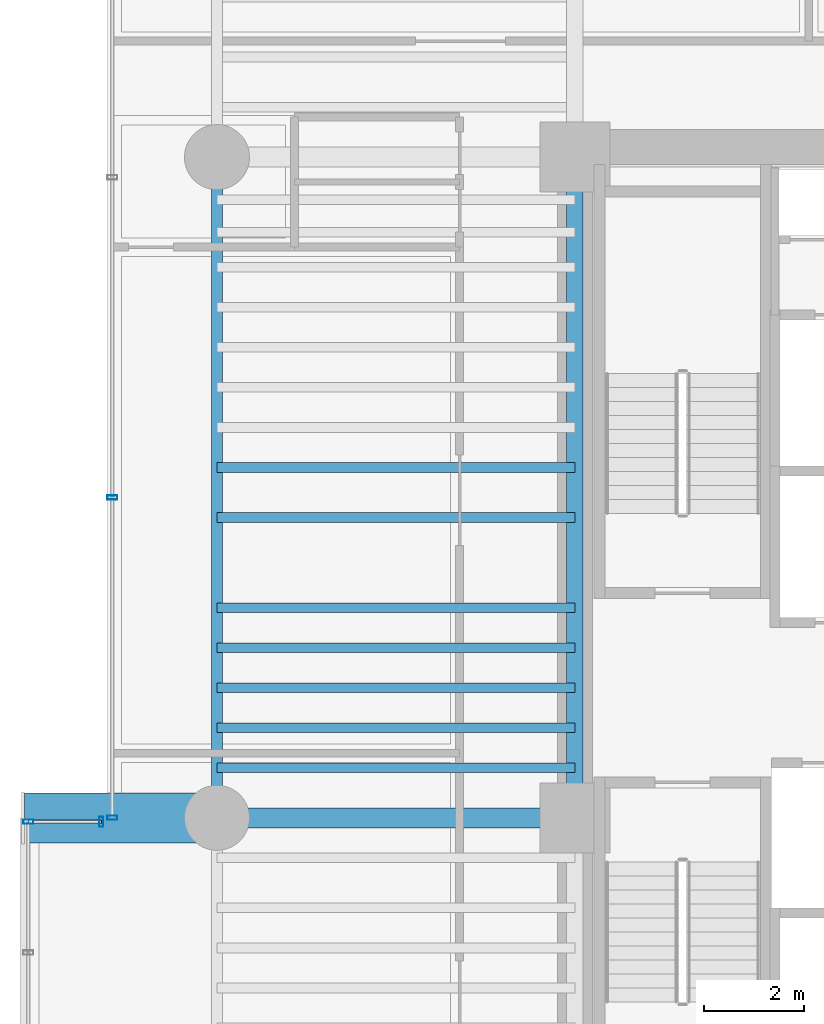
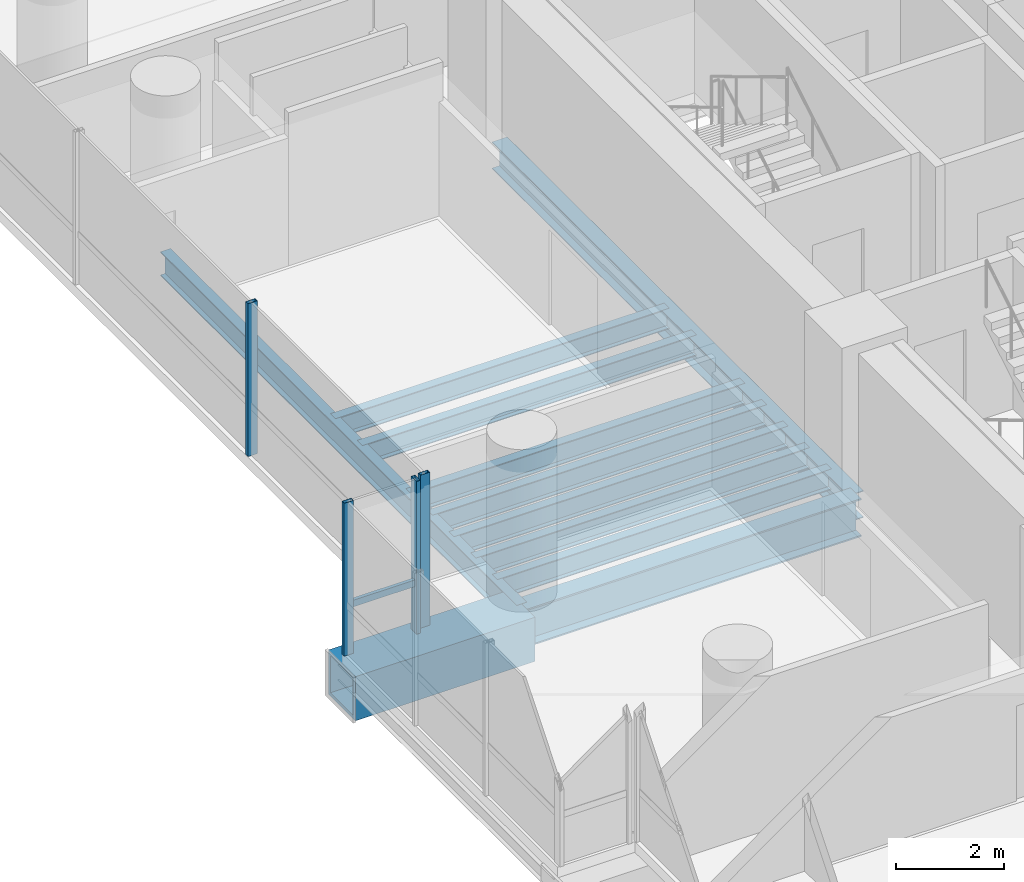
# One storey, part 8 of 40: 11 beams, 5 members, 3 elements without a shape of their own.
"""IFC4 building model written with IfcOpenShell, lengths in metres."""

from ifc_helpers import new_model, si_unit, direction, frame, origin, origin_2d, place, context, subcontext, project, spatial, hollow_rectangle, i_section, extrude, source, transform, mapped, material, material_profile, profile_set, type_object, element, aggregate, save


model = new_model("IFC4")

# Units and contexts
model_context = context("Model", 3, precision=1e-05, world=origin(), true_north=direction((0.0, 1.0)))
body_context = subcontext(model_context, "Body", "Model", "MODEL_VIEW")
ifc_project = project(units=[si_unit("LENGTHUNIT", "METRE"), si_unit("AREAUNIT", "SQUARE_METRE"), si_unit("VOLUMEUNIT", "CUBIC_METRE"), si_unit("PLANEANGLEUNIT", "RADIAN"), si_unit("MASSUNIT", "GRAM", prefix="KILO")], contexts=[model_context])

# Site, building, storey
site_placement = place(None, origin())
site = spatial("IfcSite", under=ifc_project, at=site_placement, CompositionType="ELEMENT")
building_placement = place(site_placement, origin())
building = spatial("IfcBuilding", under=site, at=building_placement, Name="Valdorenza Pilgrim Sanctuary Tower", CompositionType="ELEMENT")
storey_placement = place(building_placement, frame((0.0, 0.0, 66.699951171875)))
storey = spatial("IfcBuildingStorey", under=building, at=storey_placement, Name="L16", CompositionType="ELEMENT", Elevation=66.699951171875)

# Beams
ifc_material_1 = material(Name="Steel ASTM A992 Grade 50", Category="steel")
ifc_material_profile_1 = material_profile(ifc_material_1, i_section(OverallWidth=0.214111328125, OverallDepth=0.549072265625, WebThickness=0.0146484375, FlangeThickness=0.023681640625, at=origin_2d()), Name="W21X93")
ifc_profile_set_1 = profile_set([ifc_material_profile_1], Name="Steel ASTM A992 Grade 50")
beam_type_1 = type_object("IfcBeamType", Name="STR-BM-SPN-W21A", PredefinedType="SPANDREL", material=ifc_profile_set_1)
shared_shape_1 = source(origin(), body_context, "Body", "SweptSolid", [
    extrude(i_section(OverallWidth=0.214111328125, OverallDepth=0.549072265625, WebThickness=0.0146484375, FlangeThickness=0.023681640625, at=origin_2d()), origin(), (0.0, 0.0, 1.0), 13.2001953125),
])
beam_1_placement = place(storey_placement, frame((-29.800048828125, -2.60009765625, -0.514404296875), z_axis=(0.0, 1.0, 0.0), x_axis=(-1.0, 0.0, 0.0)))
element("IfcBeam", 1, at=beam_1_placement, inside=storey, type_object=beam_type_1, Name="L16 Spandrel Beam WA-W-M0N1", PredefinedType="SPANDREL", context=body_context, shape_type="MappedRepresentation", body=[
    mapped(shared_shape_1, transform((0.0, 0.0, 0.0), x_axis=(1.0, 0.0, 0.0), y_axis=(0.0, 1.0, 0.0), z_axis=(0.0, 0.0, 1.0), scale=1.0)),
])
ifc_material_profile_2 = material_profile(ifc_material_1, i_section(OverallWidth=0.323974609375, OverallDepth=0.611083984375, WebThickness=0.0126953125, FlangeThickness=0.01904296875, at=origin_2d()), Name="W24X104")
ifc_profile_set_2 = profile_set([ifc_material_profile_2], Name="Steel ASTM A992 Grade 50")
beam_type_2 = type_object("IfcBeamType", Name="STR-BM-GRD-W24B", PredefinedType="BEAM", material=ifc_profile_set_2)
shared_shape_2 = source(origin(), body_context, "Body", "SweptSolid", [
    extrude(i_section(OverallWidth=0.323974609375, OverallDepth=0.611083984375, WebThickness=0.0126953125, FlangeThickness=0.01904296875, at=origin_2d()), origin(), (0.0, 0.0, 1.0), 13.2001953125),
])
beam_2_placement = place(storey_placement, frame((-22.64990234375, -2.60009765625, -0.54541015625), z_axis=(0.0, 1.0, 0.0), x_axis=(-1.0, 0.0, 0.0)))
element("IfcBeam", 2, at=beam_2_placement, inside=storey, type_object=beam_type_2, Name="L16 Core Tie Girder CA-W-M0N1", PredefinedType="BEAM", context=body_context, shape_type="MappedRepresentation", body=[
    mapped(shared_shape_2, transform((0.0, 0.0, 0.0), x_axis=(1.0, 0.0, 0.0), y_axis=(0.0, 1.0, 0.0), z_axis=(0.0, 0.0, 1.0), scale=1.0)),
])
ifc_material_profile_3 = material_profile(ifc_material_1, i_section(OverallWidth=0.193115234375, OverallDepth=0.466064453125, WebThickness=0.011474609375, FlangeThickness=0.01904296875, at=origin_2d()), Name="W18X65")
ifc_profile_set_3 = profile_set([ifc_material_profile_3], Name="Steel ASTM A992 Grade 50")
beam_type_3 = type_object("IfcBeamType", Name="STR-BM-JST-W18A", PredefinedType="JOIST", material=ifc_profile_set_3)
shared_shape_3 = source(origin(), body_context, "Body", "SweptSolid", [
    extrude(i_section(OverallWidth=0.193115234375, OverallDepth=0.466064453125, WebThickness=0.011474609375, FlangeThickness=0.01904296875, at=origin_2d()), origin(), (0.0, 0.0, 1.0), 7.150146484375),
])
for number, where, z_axis, x_axis, name in (
    (3, (-29.800048828125, -1.60009765625, -0.472900390625), (1.0, 0.0, 0.0), (0.0, 1.0, 0.0), "L16 Composite Floor Joist JST-WA-10"),
    (4, (-29.800048828125, -0.800048828125, -0.472900390625), (1.0, 0.0, 0.0), (0.0, 1.0, 0.0), "L16 Composite Floor Joist JST-WA-11"),
    (5, (-29.800048828125, 0.0, -0.472900390625), (1.0, 0.0, 0.0), (0.0, 1.0, 0.0), "L16 Composite Floor Joist JST-WA-12"),
    (6, (-29.800048828125, 0.800048828125, -0.472900390625), (1.0, 0.0, 0.0), (0.0, 1.0, 0.0), "L16 Composite Floor Joist JST-WA-13"),
    (7, (-29.800048828125, 1.60009765625, -0.472900390625), (1.0, 0.0, 0.0), (0.0, 1.0, 0.0), "L16 Composite Floor Joist JST-WA-14"),
    (8, (-29.800048828125, 3.39990234375, -0.472900390625), (1.0, 0.0, 0.0), (0.0, 1.0, 0.0), "L16 Composite Floor Joist JST-WA-15"),
    (9, (-29.800048828125, 4.39990234375, -0.472900390625), (1.0, 0.0, 0.0), (0.0, 1.0, 0.0), "L16 Composite Floor Joist JST-WA-16"),
):
    element("IfcBeam", number, at=place(storey_placement, frame(where, z_axis=z_axis, x_axis=x_axis)), inside=storey, type_object=beam_type_3, Name=name, PredefinedType="JOIST", context=body_context, shape_type="MappedRepresentation", body=[
        mapped(shared_shape_3, transform((0.0, 0.0, 0.0), x_axis=(1.0, 0.0, 0.0), y_axis=(0.0, 1.0, 0.0), z_axis=(0.0, 0.0, 1.0), scale=1.0)),
    ])
ifc_material_2 = material(Name="Steel ASTM A572 Grade 42", Category="steel")
ifc_material_profile_4 = material_profile(ifc_material_2, hollow_rectangle(XDim=1.0, YDim=1.0, WallThickness=0.080078125, at=origin_2d()), Name="BOX 1000x1000x80")
ifc_profile_set_4 = profile_set([ifc_material_profile_4], Name="Steel ASTM A572 Grade 42")
beam_type_4 = type_object("IfcBeamType", Name="STR-BM-PROW-CANT", PredefinedType="BEAM", material=ifc_profile_set_4)
shared_shape_4 = source(origin(), body_context, "Body", "SweptSolid", [
    extrude(hollow_rectangle(XDim=1.0, YDim=1.0, WallThickness=0.080078125, at=origin_2d()), origin(), (0.0, 0.0, 1.0), 3.849853515625),
])
beam_3_placement = place(storey_placement, frame((-29.800048828125, -2.60009765625, -0.739990234375), z_axis=(-1.0, 0.0, 0.0), x_axis=(0.0, -1.0, 0.0)))
element("IfcBeam", 10, at=beam_3_placement, inside=storey, type_object=beam_type_4, Name="L16 Glass Box Cantilever Beam BOX-WA-L16-CT-N", PredefinedType="BEAM", context=body_context, shape_type="MappedRepresentation", body=[
    mapped(shared_shape_4, transform((0.0, 0.0, 0.0), x_axis=(1.0, 0.0, 0.0), y_axis=(0.0, 1.0, 0.0), z_axis=(0.0, 0.0, 1.0), scale=1.0)),
])
ifc_material_profile_5 = material_profile(ifc_material_1, i_section(OverallWidth=0.39990234375, OverallDepth=0.862060546875, WebThickness=0.019775390625, FlangeThickness=0.032470703125, at=origin_2d()), Name="W33X221")
ifc_profile_set_5 = profile_set([ifc_material_profile_5], Name="Steel ASTM A992 Grade 50")
beam_type_5 = type_object("IfcBeamType", Name="STR-BM-GRD-W33", PredefinedType="BEAM", material=ifc_profile_set_5)
shared_shape_5 = source(origin(), body_context, "Body", "SweptSolid", [
    extrude(i_section(OverallWidth=0.39990234375, OverallDepth=0.862060546875, WebThickness=0.019775390625, FlangeThickness=0.032470703125, at=origin_2d()), origin(), (0.0, 0.0, 1.0), 7.150146484375),
])
beam_4_placement = place(storey_placement, frame((-29.800048828125, -2.60009765625, -0.6708984375), z_axis=(1.0, 0.0, 0.0), x_axis=(0.0, 1.0, 0.0)))
element("IfcBeam", 11, at=beam_4_placement, inside=storey, type_object=beam_type_5, Name="L16 Floor Girder WA-XW-M0", PredefinedType="BEAM", context=body_context, shape_type="MappedRepresentation", body=[
    mapped(shared_shape_5, transform((0.0, 0.0, 0.0), x_axis=(1.0, 0.0, 0.0), y_axis=(0.0, 1.0, 0.0), z_axis=(0.0, 0.0, 1.0), scale=1.0)),
])

# Curtain wall, members
ifc_material_3 = material(Name="Curtain-wall IGU glazing", Category="glass")
curtain_wall_type = type_object("IfcCurtainWallType", Name="CW-SYS-02", PredefinedType="NOTDEFINED", material=ifc_material_3)
curtain_wall_1_placement = place(storey_placement, origin())
curtain_wall_1 = element("IfcCurtainWall", 12, at=curtain_wall_1_placement, inside=storey, type_object=curtain_wall_type, Name="L16 Curtain Wall CW-L16-1-1S2", PredefinedType="NOTDEFINED")
ifc_material_4 = material(Name="Anodised aluminium AW-6060", Category="aluminium")
ifc_material_profile_6 = material_profile(ifc_material_4, hollow_rectangle(XDim=0.0849609375, YDim=0.199951171875, WallThickness=0.0048828125, at=origin_2d()), Name="ALU-M 200x85x5")
ifc_profile_set_6 = profile_set([ifc_material_profile_6], Name="Anodised aluminium AW-6060")
member_type_1 = type_object("IfcMemberType", Name="CW-MUL-02", PredefinedType="MULLION", material=ifc_profile_set_6)
shared_shape_6 = source(origin(), body_context, "Body", "SweptSolid", [
    extrude(hollow_rectangle(XDim=0.0849609375, YDim=0.199951171875, WallThickness=0.0048828125, at=origin_2d()), origin(), (0.0, 0.0, 1.0), 3.4599609375),
])
member_1_placement = place(storey_placement, frame((-31.889892578125, -2.60009765625, 0.0), z_axis=(0.0, 0.0, 1.0), x_axis=(0.0, 1.0, 0.0)))
member_1 = element("IfcMember", 13, at=member_1_placement, type_object=member_type_1, Name="CW-L16-1-1S2 Mullion 1", PredefinedType="MULLION", context=body_context, shape_type="MappedRepresentation", body=[
    mapped(shared_shape_6, transform((0.0, 0.0, 0.0), x_axis=(1.0, 0.0, 0.0), y_axis=(0.0, 1.0, 0.0), z_axis=(0.0, 0.0, 1.0), scale=1.0)),
])
member_2_placement = place(storey_placement, frame((-31.889892578125, 3.798095703125, 0.0), z_axis=(0.0, 0.0, 1.0), x_axis=(0.0, 1.0, 0.0)))
member_2 = element("IfcMember", 14, at=member_2_placement, type_object=member_type_1, Name="CW-L16-1-1S2 Mullion 2", PredefinedType="MULLION", context=body_context, shape_type="MappedRepresentation", body=[
    mapped(shared_shape_6, transform((0.0, 0.0, 0.0), x_axis=(1.0, 0.0, 0.0), y_axis=(0.0, 1.0, 0.0), z_axis=(0.0, 0.0, 1.0), scale=1.0)),
])
aggregate(curtain_wall_1, [member_1, member_2])

# Curtain wall, member
curtain_wall_2_placement = place(storey_placement, origin())
curtain_wall_2 = element("IfcCurtainWall", 15, at=curtain_wall_2_placement, inside=storey, type_object=curtain_wall_type, Name="L16 Curtain Wall CW-L16-BOX-WA-L16-F", PredefinedType="NOTDEFINED")
member_3_placement = place(storey_placement, frame((-33.570068359375, -2.679931640625, 0.0), z_axis=(0.0, 0.0, 1.0), x_axis=(0.0, 1.0, 0.0)))
member_3 = element("IfcMember", 16, at=member_3_placement, type_object=member_type_1, Name="CW-L16-BOX-WA-L16-F Mullion 4", PredefinedType="MULLION", context=body_context, shape_type="MappedRepresentation", body=[
    mapped(shared_shape_6, transform((0.0, 0.0, 0.0), x_axis=(1.0, 0.0, 0.0), y_axis=(0.0, 1.0, 0.0), z_axis=(0.0, 0.0, 1.0), scale=1.0)),
])
aggregate(curtain_wall_2, [member_3])

# Curtain wall, members
curtain_wall_3_placement = place(storey_placement, origin())
curtain_wall_3 = element("IfcCurtainWall", 17, at=curtain_wall_3_placement, inside=storey, type_object=curtain_wall_type, Name="L16 Curtain Wall CW-L16-BOX-WA-L16-N", PredefinedType="NOTDEFINED")
member_4_placement = place(storey_placement, frame((-32.110107421875, -2.679931640625, 0.0), z_axis=(0.0, 0.0, 1.0), x_axis=(1.0, 0.0, 0.0)))
member_4 = element("IfcMember", 18, at=member_4_placement, type_object=member_type_1, Name="CW-L16-BOX-WA-L16-N Mullion 2", PredefinedType="MULLION", context=body_context, shape_type="MappedRepresentation", body=[
    mapped(shared_shape_6, transform((0.0, 0.0, 0.0), x_axis=(1.0, 0.0, 0.0), y_axis=(0.0, 1.0, 0.0), z_axis=(0.0, 0.0, 1.0), scale=1.0)),
])
ifc_material_profile_7 = material_profile(ifc_material_4, hollow_rectangle(XDim=0.074951171875, YDim=0.14990234375, WallThickness=0.00390625, at=origin_2d()), Name="ALU-T 150x75x4")
ifc_profile_set_7 = profile_set([ifc_material_profile_7], Name="Anodised aluminium AW-6060")
member_type_2 = type_object("IfcMemberType", Name="CW-TRN-02", PredefinedType="USERDEFINED", material=ifc_profile_set_7)
shared_shape_7 = source(origin(), body_context, "Body", "SweptSolid", [
    extrude(hollow_rectangle(XDim=0.074951171875, YDim=0.14990234375, WallThickness=0.00390625, at=origin_2d()), origin(), (0.0, 0.0, 1.0), 1.4599609375),
])
member_5_placement = place(storey_placement, frame((-33.570068359375, -2.679931640625, 1.1201171875), z_axis=(1.0, 0.0, 0.0), x_axis=(0.0, 1.0, 0.0)))
member_5 = element("IfcMember", 19, at=member_5_placement, type_object=member_type_2, Name="CW-L16-BOX-WA-L16-N Transom 1", ObjectType="TRANSOM", PredefinedType="USERDEFINED", context=body_context, shape_type="MappedRepresentation", body=[
    mapped(shared_shape_7, transform((0.0, 0.0, 0.0), x_axis=(1.0, 0.0, 0.0), y_axis=(0.0, 1.0, 0.0), z_axis=(0.0, 0.0, 1.0), scale=1.0)),
])
aggregate(curtain_wall_3, [member_4, member_5])

save(model, "model.ifc")
